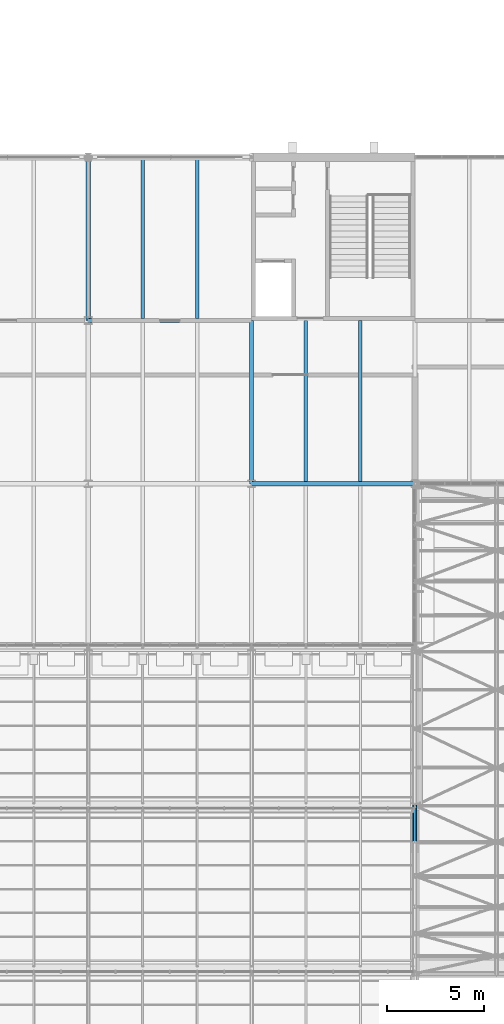
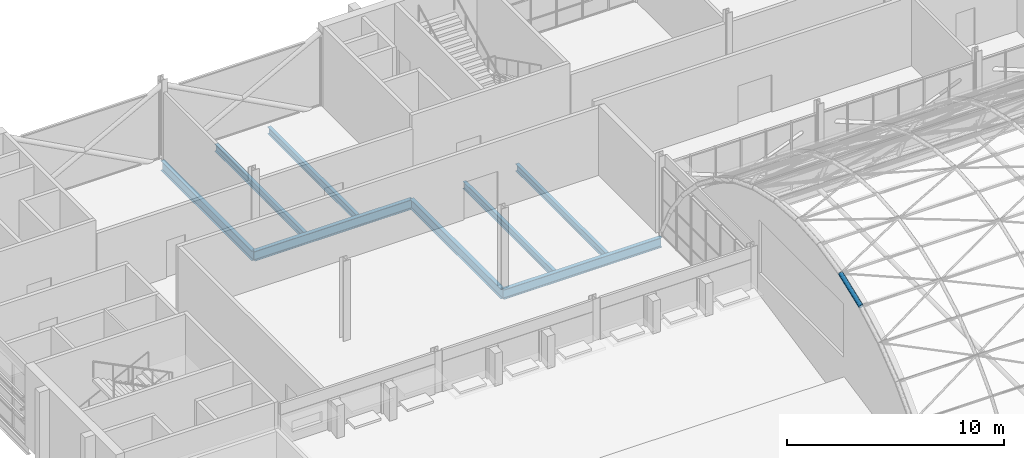
# One storey, part 40 of 121: 8 beams, 1 member.
"""IFC4 building model written with IfcOpenShell, lengths in metres."""

from ifc_helpers import new_model, si_unit, direction, frame, origin, origin_2d, place, context, subcontext, project, spatial, hollow_circle, i_section, extrude, material, material_profile, profile_set, type_object, element, save


model = new_model("IFC4")

# Units and contexts
model_context = context("Model", 3, precision=1e-05, world=origin(), true_north=direction((0.0, 1.0)))
body_context = subcontext(model_context, "Body", "Model", "MODEL_VIEW")
ifc_project = project(units=[si_unit("LENGTHUNIT", "METRE"), si_unit("AREAUNIT", "SQUARE_METRE"), si_unit("VOLUMEUNIT", "CUBIC_METRE"), si_unit("PLANEANGLEUNIT", "RADIAN"), si_unit("MASSUNIT", "GRAM", prefix="KILO")], contexts=[model_context])

# Site, building, storey
site_placement = place(None, origin())
site = spatial("IfcSite", under=ifc_project, at=site_placement, CompositionType="ELEMENT")
building_placement = place(site_placement, origin())
building = spatial("IfcBuilding", under=site, at=building_placement, Name="Ardhachandra Cancer Care Centre", CompositionType="ELEMENT")
storey_placement = place(building_placement, frame((0.0, 0.0, 9.0)))
storey = spatial("IfcBuildingStorey", under=building, at=storey_placement, Name="L02", CompositionType="ELEMENT", Elevation=9.0)

# Beams
ifc_material_1 = material(Name="Steel E350 (IS 2062)", Category="steel")
ifc_material_profile_1 = material_profile(ifc_material_1, i_section(OverallWidth=0.179931640625, OverallDepth=0.39990234375, WebThickness=0.008544921875, FlangeThickness=0.013427734375, FilletRadius=0.02099609375, at=origin_2d()), Name="NPB 400x180x66.30")
ifc_profile_set_1 = profile_set([ifc_material_profile_1], Name="Steel E350 (IS 2062)")
beam_type_1 = type_object("IfcBeamType", Name="Beam NPB 400x180x66.30", PredefinedType="BEAM", material=ifc_profile_set_1)
for number, where, z_axis, x_axis, name in (
    (1, (30.39990234375, 88.304931640625, -0.35009765625), (0.0, 1.0, 0.0), (-1.0, 0.0, 0.0), "Secondary K3-L3@2800"),
    (2, (33.199951171875, 88.304931640625, -0.35009765625), (0.0, 1.0, 0.0), (-1.0, 0.0, 0.0), "Secondary K3-L3@5600"),
):
    element("IfcBeam", number, at=place(storey_placement, frame(where, z_axis=z_axis, x_axis=x_axis)), inside=storey, type_object=beam_type_1, Name=name, PredefinedType="BEAM", context=body_context, shape_type="SweptSolid", body=[
        extrude(i_section(OverallWidth=0.179931640625, OverallDepth=0.39990234375, WebThickness=0.008544921875, FlangeThickness=0.013427734375, FilletRadius=0.02099609375, at=origin_2d()), origin(), (0.0, 0.0, 1.0), 8.195068359375),
    ])
for number, where, z_axis, x_axis, name in (
    (3, (38.800048828125, 79.905029296875, -0.35009765625), (0.0, 1.0, 0.0), (-1.0, 0.0, 0.0), "Secondary J4-K4@2800"),
    (4, (41.60009765625, 79.905029296875, -0.35009765625), (0.0, 1.0, 0.0), (-1.0, 0.0, 0.0), "Secondary J4-K4@5600"),
):
    element("IfcBeam", number, at=place(storey_placement, frame(where, z_axis=z_axis, x_axis=x_axis)), inside=storey, type_object=beam_type_1, Name=name, PredefinedType="BEAM", context=body_context, shape_type="SweptSolid", body=[
        extrude(i_section(OverallWidth=0.179931640625, OverallDepth=0.39990234375, WebThickness=0.008544921875, FlangeThickness=0.013427734375, FilletRadius=0.02099609375, at=origin_2d()), origin(), (0.0, 0.0, 1.0), 8.294921875),
    ])
ifc_material_2 = material(Name="Steel E350 (IS 2062)", Category="steel")
ifc_material_profile_2 = material_profile(ifc_material_2, i_section(OverallWidth=0.2099609375, OverallDepth=0.550048828125, WebThickness=0.010986328125, FlangeThickness=0.01708984375, FilletRadius=0.02392578125, at=origin_2d()), Name="NPB 550x210x105.52")
ifc_profile_set_2 = profile_set([ifc_material_profile_2], Name="Steel E350 (IS 2062)")
beam_type_2 = type_object("IfcBeamType", Name="Beam NPB 550x210x105.52", PredefinedType="BEAM", material=ifc_profile_set_2)
for number, where, z_axis, x_axis, name in (
    (5, (36.0, 79.800048828125, -0.425048828125), (1.0, 0.0, 0.0), (0.0, 1.0, 0.0), "Girder J4-J5"),
    (6, (27.60009765625, 88.199951171875, -0.425048828125), (1.0, 0.0, 0.0), (0.0, 1.0, 0.0), "Girder K3-K4"),
):
    element("IfcBeam", number, at=place(storey_placement, frame(where, z_axis=z_axis, x_axis=x_axis)), inside=storey, type_object=beam_type_2, Name=name, PredefinedType="BEAM", context=body_context, shape_type="SweptSolid", body=[
        extrude(i_section(OverallWidth=0.2099609375, OverallDepth=0.550048828125, WebThickness=0.010986328125, FlangeThickness=0.01708984375, FilletRadius=0.02392578125, at=origin_2d()), origin(), (0.0, 0.0, 1.0), 8.39990234375),
    ])
beam_1_placement = place(storey_placement, frame((27.60009765625, 88.199951171875, -0.425048828125), z_axis=(0.0, 1.0, 0.0), x_axis=(-1.0, 0.0, 0.0)))
element("IfcBeam", 7, at=beam_1_placement, inside=storey, type_object=beam_type_2, Name="Girder K3-L3", PredefinedType="BEAM", context=body_context, shape_type="SweptSolid", body=[
    extrude(i_section(OverallWidth=0.2099609375, OverallDepth=0.550048828125, WebThickness=0.010986328125, FlangeThickness=0.01708984375, FilletRadius=0.02392578125, at=origin_2d()), origin(), (0.0, 0.0, 1.0), 8.400146484375),
])
beam_2_placement = place(storey_placement, frame((36.0, 79.800048828125, -0.425048828125), z_axis=(0.0, 1.0, 0.0), x_axis=(-1.0, 0.0, 0.0)))
element("IfcBeam", 8, at=beam_2_placement, inside=storey, type_object=beam_type_2, Name="Girder J4-K4", PredefinedType="BEAM", context=body_context, shape_type="SweptSolid", body=[
    extrude(i_section(OverallWidth=0.2099609375, OverallDepth=0.550048828125, WebThickness=0.010986328125, FlangeThickness=0.01708984375, FilletRadius=0.02392578125, at=origin_2d()), origin(), (0.0, 0.0, 1.0), 8.39990234375),
])

# Member
ifc_material_3 = material(Name="Steel E350 (IS 2062)", Category="steel")
ifc_material_profile_3 = material_profile(ifc_material_3, hollow_circle(Radius=0.122314453125, WallThickness=0.010009765625, at=origin_2d()), Name="CHS 244.5x10.0")
ifc_profile_set_3 = profile_set([ifc_material_profile_3], Name="Steel E350 (IS 2062)")
member_type = type_object("IfcMemberType", Name="Hall shell Rib CHS 244.5x10.0", PredefinedType="RAFTER", material=ifc_profile_set_3)
member_placement = place(storey_placement, frame((44.39990234375, 61.37353515625, 7.093994140625), z_axis=(0.0, 0.933235705219, 0.359264691426), x_axis=(-1.0, 0.0, 0.0)))
element("IfcMember", 9, at=member_placement, inside=storey, type_object=member_type, Name="Hall shell rib 00-05", PredefinedType="RAFTER", context=body_context, shape_type="SweptSolid", body=[
    extrude(hollow_circle(Radius=0.122314453125, WallThickness=0.010009765625, at=origin_2d()), origin(), (0.0, 0.0, 1.0), 2.004638671875),
])

save(model, "model.ifc")
